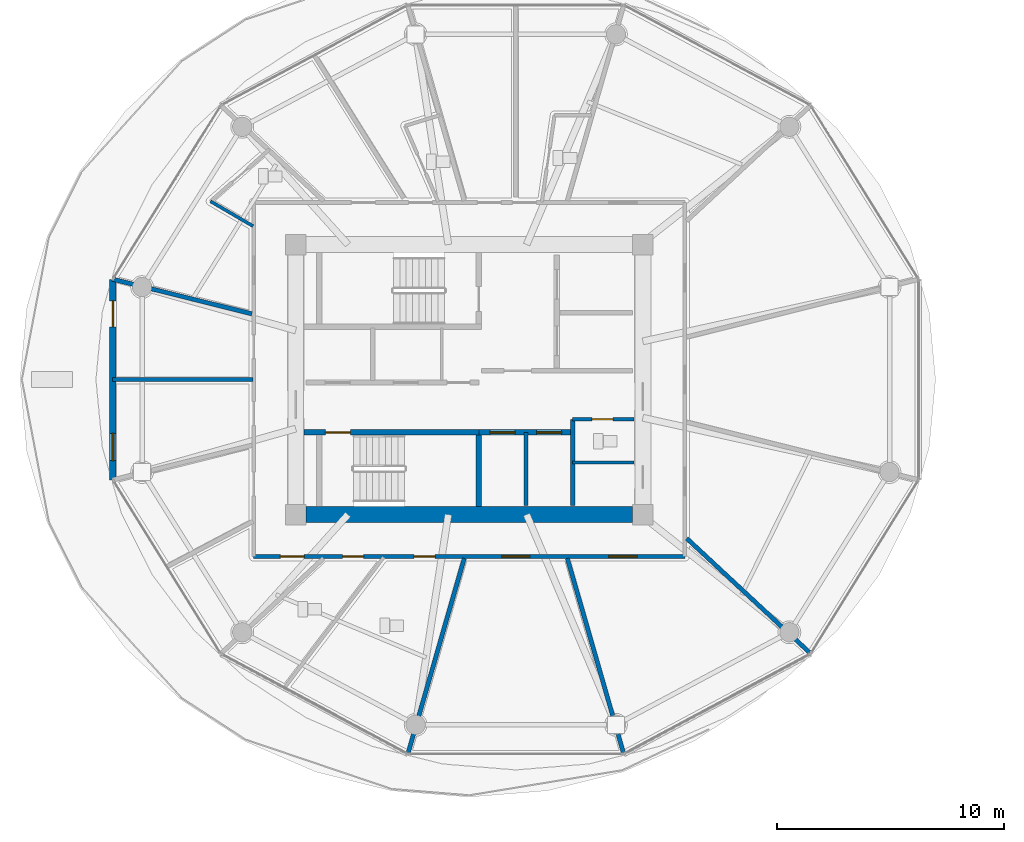
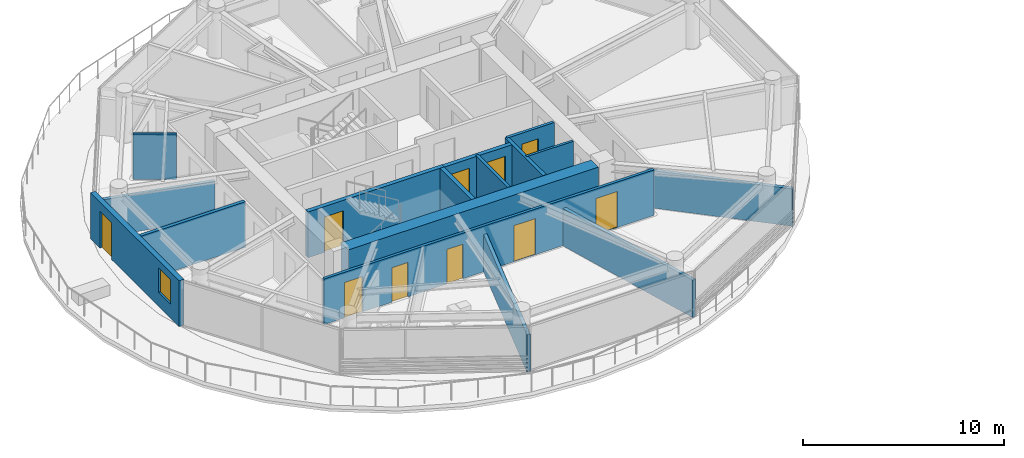
# One storey, part 15 of 32: 16 walls, 10 doors, 1 window, 11 openings.
"""IFC4 building model written with IfcOpenShell, lengths in metres."""

from ifc_helpers import new_model, si_unit, direction, frame, frame_2d, origin, place, context, subcontext, project, spatial, rectangle, extrude, source, transform, mapped, material, layer, layer_set, type_object, type_shapes, element, fill, save


model = new_model("IFC4")

# Units and contexts
model_context = context("Model", 3, precision=1e-05, world=origin(), true_north=direction((0.0, 1.0)))
body_context = subcontext(model_context, "Body", "Model", "MODEL_VIEW")
ifc_project = project(units=[si_unit("LENGTHUNIT", "METRE"), si_unit("AREAUNIT", "SQUARE_METRE"), si_unit("VOLUMEUNIT", "CUBIC_METRE"), si_unit("PLANEANGLEUNIT", "RADIAN"), si_unit("MASSUNIT", "GRAM", prefix="KILO")], contexts=[model_context])

# Site, building, storey
site_placement = place(None, origin())
site = spatial("IfcSite", under=ifc_project, at=site_placement, CompositionType="ELEMENT")
building_placement = place(site_placement, origin())
building = spatial("IfcBuilding", under=site, at=building_placement, Name="Norrkilde Senior Care Towers", CompositionType="ELEMENT")
storey_placement = place(building_placement, frame((0.0, 0.0, 77.949951171875)))
storey = spatial("IfcBuildingStorey", under=building, at=storey_placement, Name="L23", CompositionType="ELEMENT", Elevation=77.949951171875)

# Wall
ifc_material_1 = material(Name="Concrete C60/75", Category="concrete")
ifc_layer_1 = layer(ifc_material_1, 0.719970703125)
ifc_layer_set_1 = layer_set([ifc_layer_1], Name="Concrete C60/75")
wall_type_1 = type_object("IfcWallType", Name="Core Shear Wall Z2 720", PredefinedType="SHEAR", material=ifc_layer_set_1)
shared_shape_1 = source(origin(), body_context, "Body", "SweptSolid", [
    extrude(rectangle(XDim=14.39990234375, YDim=0.719970703125, at=frame_2d((7.199951171875, 0.0))), origin(), (0.0, 0.0, 1.0), 2.7900390625),
])
type_shapes(wall_type_1, [shared_shape_1])
wall_1_placement = place(storey_placement, frame((-20.800048828125, -5.949951171875, 0.0), z_axis=(0.0, 0.0, 1.0), x_axis=(-1.0, 0.0, 0.0)))
element("IfcWall", 1, at=wall_1_placement, inside=storey, type_object=wall_type_1, Name="L23 Core W South Shear Wall", PredefinedType="SHEAR", context=body_context, shape_type="MappedRepresentation", body=[
    mapped(shared_shape_1, transform((0.0, 0.0, 0.0), x_axis=(1.0, 0.0, 0.0), y_axis=(0.0, 1.0, 0.0), z_axis=(0.0, 0.0, 1.0), scale=1.0)),
])

# Wall, openings, door, window
ifc_material_2 = material(Name="Precast concrete C45/55", Category="concrete")
ifc_layer_2 = layer(ifc_material_2, 0.2900390625)
ifc_layer_set_2 = layer_set([ifc_layer_2], Name="Precast concrete C45/55")
wall_type_2 = type_object("IfcWallType", Name="Winter Garden Facade Wall 290", PredefinedType="SOLIDWALL", material=ifc_layer_set_2)
shared_shape_2 = source(origin(), body_context, "Body", "SweptSolid", [
    extrude(rectangle(XDim=8.84130859375, YDim=0.2900390625, at=frame_2d((4.420654296875, 0.0))), origin(), (0.0, 0.0, 1.0), 2.7900390625),
])
type_shapes(wall_type_2, [shared_shape_2])
wall_2_placement = place(storey_placement, frame((-43.70361328125, -4.420654296875, 0.0), z_axis=(0.0, 0.0, 1.0), x_axis=(0.0, 1.0, 0.0)))
wall_2 = element("IfcWall", 2, at=wall_2_placement, inside=storey, type_object=wall_type_2, Name="L23 Drum W Balcony Access Wall 05", PredefinedType="SOLIDWALL", context=body_context, shape_type="MappedRepresentation", body=[
    mapped(shared_shape_2, transform((0.0, 0.0, 0.0), x_axis=(1.0, 0.0, 0.0), y_axis=(0.0, 1.0, 0.0), z_axis=(0.0, 0.0, 1.0), scale=1.0)),
])
opening_1_placement = place(wall_2_placement, frame((6.739990234375, 0.0, 0.0)))
opening_1 = element("IfcOpeningElement", 3, at=opening_1_placement, cuts=wall_2, Name="Opening D-09", PredefinedType="OPENING", context=body_context, shape_type="SweptSolid", body=[
    extrude(rectangle(XDim=1.14990234375, YDim=2.25, at=frame_2d((0.574951171875, 1.125))), frame((0.0, 0.155029296875, 0.0), z_axis=(0.0, -1.0, 0.0), x_axis=(1.0, 0.0, 0.0)), (0.0, 0.0, 1.0), 0.31005859375),
])
opening_2_placement = place(wall_2_placement, frame((0.85009765625, 0.0, 0.85009765625)))
opening_2 = element("IfcOpeningElement", 4, at=opening_2_placement, cuts=wall_2, Name="Opening WN-07", PredefinedType="OPENING", context=body_context, shape_type="SweptSolid", body=[
    extrude(rectangle(XDim=1.199951171875, YDim=1.5, at=frame_2d((0.60009765625, 0.75))), frame((0.0, 0.155029296875, 0.0), z_axis=(0.0, -1.0, 0.0), x_axis=(1.0, 0.0, 0.0)), (0.0, 0.0, 1.0), 0.31005859375),
])
ifc_material_3 = material(Name="Anodised Aluminium", Category="aluminium")
door_type_1 = type_object("IfcDoorType", Name="Terrace and Balcony Glazed Door 1150x2250", OperationType="NOTDEFINED", PredefinedType="DOOR", material=ifc_material_3)
shared_shape_3 = source(origin(), body_context, "Body", "SweptSolid", [
    extrude(rectangle(XDim=1.14990234375, YDim=2.25, at=frame_2d((0.574951171875, 1.125))), frame((0.0, 0.02490234375, 0.0), z_axis=(0.0, -1.0, 0.0), x_axis=(1.0, 0.0, 0.0)), (0.0, 0.0, 1.0), 0.050048828125),
])
type_shapes(door_type_1, [shared_shape_3])
door_1_placement = place(opening_1_placement, origin())
door_1 = element("IfcDoor", 5, at=door_1_placement, inside=storey, type_object=door_type_1, Name="L23 Drum W Outdoor Terrace Door 05", OperationType="SINGLE_SWING_RIGHT", OverallHeight=2.25, OverallWidth=1.14990234375, PredefinedType="DOOR", context=body_context, shape_type="MappedRepresentation", body=[
    mapped(shared_shape_3, transform((0.0, 0.0, 0.0), x_axis=(1.0, 0.0, 0.0), y_axis=(0.0, 1.0, 0.0), z_axis=(0.0, 0.0, 1.0), scale=1.0)),
])
fill(opening_1, door_1)
ifc_material_4 = material(Name="Triple Low-E Insulated Glazing", Category="glass")
window_type = type_object("IfcWindowType", Name="Stairwell Smoke Vent Window 1200x1500", PartitioningType="SINGLE_PANEL", PredefinedType="WINDOW", material=ifc_material_4)
shared_shape_4 = source(origin(), body_context, "Body", "SweptSolid", [
    extrude(rectangle(XDim=1.199951171875, YDim=1.5, at=frame_2d((0.60009765625, 0.75))), frame((0.0, 0.030029296875, 0.0), z_axis=(0.0, -1.0, 0.0), x_axis=(1.0, 0.0, 0.0)), (0.0, 0.0, 1.0), 0.06005859375),
])
type_shapes(window_type, [shared_shape_4])
window_placement = place(opening_2_placement, origin())
window = element("IfcWindow", 6, at=window_placement, inside=storey, type_object=window_type, Name="L23 Drum W Winter Garden Window 05", OverallHeight=1.5, OverallWidth=1.199951171875, PartitioningType="SINGLE_PANEL", PredefinedType="WINDOW", context=body_context, shape_type="MappedRepresentation", body=[
    mapped(shared_shape_4, transform((0.0, 0.0, 0.0), x_axis=(1.0, 0.0, 0.0), y_axis=(0.0, 1.0, 0.0), z_axis=(0.0, 0.0, 1.0), scale=1.0)),
])
fill(opening_2, window)

# Wall
ifc_material_5 = material(Name="Concrete C45/55", Category="concrete")
ifc_layer_3 = layer(ifc_material_5, 0.199951171875)
ifc_layer_set_3 = layer_set([ifc_layer_3], Name="Concrete C45/55")
wall_type_3 = type_object("IfcWallType", Name="Shaft Division and Plant Partition 200", PredefinedType="PARTITIONING", material=ifc_layer_set_3)
shared_shape_5 = source(origin(), body_context, "Body", "SweptSolid", [
    extrude(rectangle(XDim=3.800048828125, YDim=0.199951171875, at=frame_2d((1.89990234375, 0.0))), origin(), (0.0, 0.0, 1.0), 2.775146484375),
])
type_shapes(wall_type_3, [shared_shape_5])
wall_3_placement = place(storey_placement, frame((-23.449951171875, -5.550048828125, 0.0), z_axis=(0.0, 0.0, 1.0), x_axis=(0.0, 1.0, 0.0)))
element("IfcWall", 7, at=wall_3_placement, inside=storey, type_object=wall_type_3, Name="WL-INT-L23-W-PKBE", PredefinedType="PARTITIONING", context=body_context, shape_type="MappedRepresentation", body=[
    mapped(shared_shape_5, transform((0.0, 0.0, 0.0), x_axis=(1.0, 0.0, 0.0), y_axis=(0.0, 1.0, 0.0), z_axis=(0.0, 0.0, 1.0), scale=1.0)),
])

# Wall, openings, doors
ifc_layer_4 = layer(ifc_material_5, 0.239990234375)
ifc_layer_set_4 = layer_set([ifc_layer_4], Name="Concrete C45/55")
wall_type_4 = type_object("IfcWallType", Name="Lift and Plant Rated Enclosure Partition 240", PredefinedType="PARTITIONING", material=ifc_layer_set_4)
shared_shape_6 = source(origin(), body_context, "Body", "SweptSolid", [
    extrude(rectangle(XDim=4.130126953125, YDim=0.239990234375, at=frame_2d((2.06494140625, 0.0))), origin(), (0.0, 0.0, 1.0), 2.775146484375),
])
type_shapes(wall_type_4, [shared_shape_6])
wall_4_placement = place(storey_placement, frame((-27.580078125, -2.330078125, 0.0), z_axis=(0.0, 0.0, 1.0), x_axis=(1.0, 0.0, 0.0)))
wall_4 = element("IfcWall", 8, at=wall_4_placement, inside=storey, type_object=wall_type_4, Name="WL-INT-L23-W-PKBN", PredefinedType="PARTITIONING", context=body_context, shape_type="MappedRepresentation", body=[
    mapped(shared_shape_6, transform((0.0, 0.0, 0.0), x_axis=(1.0, 0.0, 0.0), y_axis=(0.0, 1.0, 0.0), z_axis=(0.0, 0.0, 1.0), scale=1.0)),
])
opening_3_placement = place(wall_4_placement, frame((0.5, 0.0, 0.0)))
opening_3 = element("IfcOpeningElement", 9, at=opening_3_placement, cuts=wall_4, Name="Opening LD-01", PredefinedType="OPENING", context=body_context, shape_type="SweptSolid", body=[
    extrude(rectangle(XDim=1.10009765625, YDim=2.199951171875, at=frame_2d((0.550048828125, 1.10009765625))), frame((0.0, 0.1298828125, 0.0), z_axis=(0.0, -1.0, 0.0), x_axis=(1.0, 0.0, 0.0)), (0.0, 0.0, 1.0), 0.260009765625),
])
opening_4_placement = place(wall_4_placement, frame((2.550048828125, 0.0, 0.0)))
opening_4 = element("IfcOpeningElement", 10, at=opening_4_placement, cuts=wall_4, Name="Opening LD-01", PredefinedType="OPENING", context=body_context, shape_type="SweptSolid", body=[
    extrude(rectangle(XDim=1.10009765625, YDim=2.199951171875, at=frame_2d((0.550048828125, 1.10009765625))), frame((0.0, 0.1298828125, 0.0), z_axis=(0.0, -1.0, 0.0), x_axis=(1.0, 0.0, 0.0)), (0.0, 0.0, 1.0), 0.260009765625),
])
ifc_material_6 = material(Name="Stainless Steel", Category="steel")
door_type_2 = type_object("IfcDoorType", Name="Lift Landing Sliding Door 1100x2200", OperationType="NOTDEFINED", PredefinedType="DOOR", material=ifc_material_6)
shared_shape_7 = source(origin(), body_context, "Body", "SweptSolid", [
    extrude(rectangle(XDim=1.10009765625, YDim=2.199951171875, at=frame_2d((0.550048828125, 1.10009765625))), frame((0.0, 0.02490234375, 0.0), z_axis=(0.0, -1.0, 0.0), x_axis=(1.0, 0.0, 0.0)), (0.0, 0.0, 1.0), 0.050048828125),
])
type_shapes(door_type_2, [shared_shape_7])
door_2_placement = place(opening_3_placement, frame((1.10009765625, 0.0, 0.0), z_axis=(0.0, 0.0, 1.0), x_axis=(-1.0, 0.0, 0.0)))
door_2 = element("IfcDoor", 11, at=door_2_placement, inside=storey, type_object=door_type_2, Name="L23 Passenger Lift W3 Landing Door", OperationType="SLIDING_TO_LEFT", OverallHeight=2.199951171875, OverallWidth=1.10009765625, PredefinedType="DOOR", context=body_context, shape_type="MappedRepresentation", body=[
    mapped(shared_shape_7, transform((0.0, 0.0, 0.0), x_axis=(1.0, 0.0, 0.0), y_axis=(0.0, 1.0, 0.0), z_axis=(0.0, 0.0, 1.0), scale=1.0)),
])
fill(opening_3, door_2)
door_3_placement = place(opening_4_placement, frame((1.10009765625, 0.0, 0.0), z_axis=(0.0, 0.0, 1.0), x_axis=(-1.0, 0.0, 0.0)))
door_3 = element("IfcDoor", 12, at=door_3_placement, inside=storey, type_object=door_type_2, Name="L23 Passenger Lift W4 Landing Door", OperationType="SLIDING_TO_RIGHT", OverallHeight=2.199951171875, OverallWidth=1.10009765625, PredefinedType="DOOR", context=body_context, shape_type="MappedRepresentation", body=[
    mapped(shared_shape_7, transform((0.0, 0.0, 0.0), x_axis=(1.0, 0.0, 0.0), y_axis=(0.0, 1.0, 0.0), z_axis=(0.0, 0.0, 1.0), scale=1.0)),
])
fill(opening_4, door_3)

# Wall
ifc_layer_5 = layer(ifc_material_5, 0.179931640625)
ifc_layer_set_5 = layer_set([ifc_layer_5], Name="Concrete C45/55")
wall_type_5 = type_object("IfcWallType", Name="Hoistway Division Rated Partition 180", PredefinedType="PARTITIONING", material=ifc_layer_set_5)
shared_shape_8 = source(origin(), body_context, "Body", "SweptSolid", [
    extrude(rectangle(XDim=3.219970703125, YDim=0.179931640625, at=frame_2d((1.60986328125, 0.0))), origin(), (0.0, 0.0, 1.0), 2.775146484375),
])
type_shapes(wall_type_5, [shared_shape_8])
wall_5_placement = place(storey_placement, frame((-25.5, -5.550048828125, 0.0), z_axis=(0.0, 0.0, 1.0), x_axis=(0.0, 1.0, 0.0)))
element("IfcWall", 13, at=wall_5_placement, inside=storey, type_object=wall_type_5, Name="WL-INT-L23-W-PL34", PredefinedType="PARTITIONING", context=body_context, shape_type="MappedRepresentation", body=[
    mapped(shared_shape_8, transform((0.0, 0.0, 0.0), x_axis=(1.0, 0.0, 0.0), y_axis=(0.0, 1.0, 0.0), z_axis=(0.0, 0.0, 1.0), scale=1.0)),
])

# Wall, opening, door
ifc_material_7 = material(Name="Gypsum Acoustic Board")
ifc_layer_6 = layer(ifc_material_7, 0.1650390625)
ifc_layer_set_6 = layer_set([ifc_layer_6], Name="Gypsum Acoustic Board")
wall_type_6 = type_object("IfcWallType", Name="Corridor Rated Partition 165", PredefinedType="PARTITIONING", material=ifc_layer_set_6)
shared_shape_9 = source(origin(), body_context, "Body", "SweptSolid", [
    extrude(rectangle(XDim=2.699951171875, YDim=0.1650390625, at=frame_2d((1.35009765625, 0.0))), origin(), (0.0, 0.0, 1.0), 2.775146484375),
])
wall_6_placement = place(storey_placement, frame((-23.449951171875, -1.75, 0.0), z_axis=(0.0, 0.0, 1.0), x_axis=(1.0, 0.0, 0.0)))
wall_6 = element("IfcWall", 14, at=wall_6_placement, inside=storey, type_object=wall_type_6, Name="WL-INT-L23-W-CSN", PredefinedType="PARTITIONING", context=body_context, shape_type="MappedRepresentation", body=[
    mapped(shared_shape_9, transform((0.0, 0.0, 0.0), x_axis=(1.0, 0.0, 0.0), y_axis=(0.0, 1.0, 0.0), z_axis=(0.0, 0.0, 1.0), scale=1.0)),
])
opening_5_placement = place(wall_6_placement, frame((0.85009765625, 0.0, 0.0)))
opening_5 = element("IfcOpeningElement", 15, at=opening_5_placement, cuts=wall_6, Name="Opening D-12", PredefinedType="OPENING", context=body_context, shape_type="SweptSolid", body=[
    extrude(rectangle(XDim=0.925048828125, YDim=2.10009765625, at=frame_2d((0.46240234375, 1.050048828125))), frame((0.0, 0.092529296875, 0.0), z_axis=(0.0, -1.0, 0.0), x_axis=(1.0, 0.0, 0.0)), (0.0, 0.0, 1.0), 0.18505859375),
])
ifc_material_8 = material(Name="Galvanised Painted Steel", Category="steel")
door_type_3 = type_object("IfcDoorType", Name="Core Wet Room Rated Door 925x2100", OperationType="NOTDEFINED", PredefinedType="DOOR", material=ifc_material_8)
shared_shape_10 = source(origin(), body_context, "Body", "SweptSolid", [
    extrude(rectangle(XDim=0.925048828125, YDim=2.10009765625, at=frame_2d((0.46240234375, 1.050048828125))), frame((0.0, 0.02490234375, 0.0), z_axis=(0.0, -1.0, 0.0), x_axis=(1.0, 0.0, 0.0)), (0.0, 0.0, 1.0), 0.050048828125),
])
type_shapes(door_type_3, [shared_shape_10])
door_4_placement = place(opening_5_placement, origin())
door_4 = element("IfcDoor", 16, at=door_4_placement, inside=storey, type_object=door_type_3, Name="L23 Staff WC W Door", OperationType="SINGLE_SWING_LEFT", OverallHeight=2.10009765625, OverallWidth=0.925048828125, PredefinedType="DOOR", context=body_context, shape_type="MappedRepresentation", body=[
    mapped(shared_shape_10, transform((0.0, 0.0, 0.0), x_axis=(1.0, 0.0, 0.0), y_axis=(0.0, 1.0, 0.0), z_axis=(0.0, 0.0, 1.0), scale=1.0)),
])
fill(opening_5, door_4)

# Wall, openings, doors
shared_shape_11 = source(origin(), body_context, "Body", "SweptSolid", [
    extrude(rectangle(XDim=19.0, YDim=0.1650390625, at=frame_2d((9.5, 0.0))), origin(), (0.0, 0.0, 1.0), 2.775146484375),
])
type_shapes(wall_type_6, [shared_shape_9, shared_shape_11])
wall_7_placement = place(storey_placement, frame((-18.5, -7.800048828125, 0.0), z_axis=(0.0, 0.0, 1.0), x_axis=(-1.0, 0.0, 0.0)))
wall_7 = element("IfcWall", 17, at=wall_7_placement, inside=storey, type_object=wall_type_6, Name="WL-INT-L23-W-CRW-S-0", PredefinedType="PARTITIONING", context=body_context, shape_type="MappedRepresentation", body=[
    mapped(shared_shape_11, transform((0.0, 0.0, 0.0), x_axis=(1.0, 0.0, 0.0), y_axis=(0.0, 1.0, 0.0), z_axis=(0.0, 0.0, 1.0), scale=1.0)),
])
opening_6_placement = place(wall_7_placement, frame((14.157958984375, 0.0, 0.0)))
opening_6 = element("IfcOpeningElement", 18, at=opening_6_placement, cuts=wall_7, Name="Opening D-08", PredefinedType="OPENING", context=body_context, shape_type="SweptSolid", body=[
    extrude(rectangle(XDim=0.919921875, YDim=2.10009765625, at=frame_2d((0.4599609375, 1.050048828125))), frame((0.0, 0.092529296875, 0.0), z_axis=(0.0, -1.0, 0.0), x_axis=(1.0, 0.0, 0.0)), (0.0, 0.0, 1.0), 0.18505859375),
])
opening_7_placement = place(wall_7_placement, frame((11.009765625, 0.0, 0.0)))
opening_7 = element("IfcOpeningElement", 19, at=opening_7_placement, cuts=wall_7, Name="Opening D-08", PredefinedType="OPENING", context=body_context, shape_type="SweptSolid", body=[
    extrude(rectangle(XDim=0.919921875, YDim=2.10009765625, at=frame_2d((0.4599609375, 1.050048828125))), frame((0.0, 0.092529296875, 0.0), z_axis=(0.0, -1.0, 0.0), x_axis=(1.0, 0.0, 0.0)), (0.0, 0.0, 1.0), 0.18505859375),
])
opening_8_placement = place(wall_7_placement, frame((6.824951171875, 0.0, 0.0)))
opening_8 = element("IfcOpeningElement", 20, at=opening_8_placement, cuts=wall_7, Name="Opening D-05", PredefinedType="OPENING", context=body_context, shape_type="SweptSolid", body=[
    extrude(rectangle(XDim=1.25, YDim=2.199951171875, at=frame_2d((0.625, 1.10009765625))), frame((0.0, 0.092529296875, 0.0), z_axis=(0.0, -1.0, 0.0), x_axis=(1.0, 0.0, 0.0)), (0.0, 0.0, 1.0), 0.18505859375),
])
opening_9_placement = place(wall_7_placement, frame((2.106201171875, 0.0, 0.0)))
opening_9 = element("IfcOpeningElement", 21, at=opening_9_placement, cuts=wall_7, Name="Opening D-05", PredefinedType="OPENING", context=body_context, shape_type="SweptSolid", body=[
    extrude(rectangle(XDim=1.25, YDim=2.199951171875, at=frame_2d((0.625, 1.10009765625))), frame((0.0, 0.092529296875, 0.0), z_axis=(0.0, -1.0, 0.0), x_axis=(1.0, 0.0, 0.0)), (0.0, 0.0, 1.0), 0.18505859375),
])
opening_10_placement = place(wall_7_placement, frame((16.77490234375, 0.0, 0.0)))
opening_10 = element("IfcOpeningElement", 22, at=opening_10_placement, cuts=wall_7, Name="Opening D-06", PredefinedType="OPENING", context=body_context, shape_type="SweptSolid", body=[
    extrude(rectangle(XDim=1.050048828125, YDim=2.14990234375, at=frame_2d((0.52490234375, 1.074951171875))), frame((0.0, 0.092529296875, 0.0), z_axis=(0.0, -1.0, 0.0), x_axis=(1.0, 0.0, 0.0)), (0.0, 0.0, 1.0), 0.18505859375),
])
ifc_material_9 = material(Name="Nordic Ash Timber", Category="wood")
door_type_4 = type_object("IfcDoorType", Name="Care Bedroom Bariatric Door 1250x2200", OperationType="NOTDEFINED", PredefinedType="DOOR", material=ifc_material_9)
shared_shape_12 = source(origin(), body_context, "Body", "SweptSolid", [
    extrude(rectangle(XDim=1.25, YDim=2.199951171875, at=frame_2d((0.625, 1.10009765625))), frame((0.0, 0.02490234375, 0.0), z_axis=(0.0, -1.0, 0.0), x_axis=(1.0, 0.0, 0.0)), (0.0, 0.0, 1.0), 0.050048828125),
])
type_shapes(door_type_4, [shared_shape_12])
door_5_placement = place(opening_8_placement, frame((1.25, 0.0, 0.0), z_axis=(0.0, 0.0, 1.0), x_axis=(-1.0, 0.0, 0.0)))
door_5 = element("IfcDoor", 23, at=door_5_placement, inside=storey, type_object=door_type_4, Name="L23 Resident Therapeutic Day Lounge Door", OperationType="SINGLE_SWING_LEFT", OverallHeight=2.199951171875, OverallWidth=1.25, PredefinedType="DOOR", context=body_context, shape_type="MappedRepresentation", body=[
    mapped(shared_shape_12, transform((0.0, 0.0, 0.0), x_axis=(1.0, 0.0, 0.0), y_axis=(0.0, 1.0, 0.0), z_axis=(0.0, 0.0, 1.0), scale=1.0)),
])
fill(opening_8, door_5)
door_6_placement = place(opening_9_placement, frame((1.25, 0.0, 0.0), z_axis=(0.0, 0.0, 1.0), x_axis=(-1.0, 0.0, 0.0)))
door_6 = element("IfcDoor", 24, at=door_6_placement, inside=storey, type_object=door_type_4, Name="L23 Household Therapeutic Kitchen Door", OperationType="SINGLE_SWING_RIGHT", OverallHeight=2.199951171875, OverallWidth=1.25, PredefinedType="DOOR", context=body_context, shape_type="MappedRepresentation", body=[
    mapped(shared_shape_12, transform((0.0, 0.0, 0.0), x_axis=(1.0, 0.0, 0.0), y_axis=(0.0, 1.0, 0.0), z_axis=(0.0, 0.0, 1.0), scale=1.0)),
])
fill(opening_9, door_6)
door_type_5 = type_object("IfcDoorType", Name="Accessible Wet Room Door 920x2100", OperationType="NOTDEFINED", PredefinedType="DOOR", material=ifc_material_9)
shared_shape_13 = source(origin(), body_context, "Body", "SweptSolid", [
    extrude(rectangle(XDim=0.919921875, YDim=2.10009765625, at=frame_2d((0.4599609375, 1.050048828125))), frame((0.0, 0.02490234375, 0.0), z_axis=(0.0, -1.0, 0.0), x_axis=(1.0, 0.0, 0.0)), (0.0, 0.0, 1.0), 0.050048828125),
])
type_shapes(door_type_5, [shared_shape_13])
door_7_placement = place(opening_6_placement, frame((0.919921875, 0.0, 0.0), z_axis=(0.0, 0.0, 1.0), x_axis=(-1.0, 0.0, 0.0)))
door_7 = element("IfcDoor", 25, at=door_7_placement, inside=storey, type_object=door_type_5, Name="L23 Accessible Restroom Door", OperationType="SINGLE_SWING_RIGHT", OverallHeight=2.10009765625, OverallWidth=0.919921875, PredefinedType="DOOR", context=body_context, shape_type="MappedRepresentation", body=[
    mapped(shared_shape_13, transform((0.0, 0.0, 0.0), x_axis=(1.0, 0.0, 0.0), y_axis=(0.0, 1.0, 0.0), z_axis=(0.0, 0.0, 1.0), scale=1.0)),
])
fill(opening_6, door_7)
door_8_placement = place(opening_7_placement, frame((0.919921875, 0.0, 0.0), z_axis=(0.0, 0.0, 1.0), x_axis=(-1.0, 0.0, 0.0)))
door_8 = element("IfcDoor", 26, at=door_8_placement, inside=storey, type_object=door_type_5, Name="L23 Public Restroom Door", OperationType="SINGLE_SWING_LEFT", OverallHeight=2.10009765625, OverallWidth=0.919921875, PredefinedType="DOOR", context=body_context, shape_type="MappedRepresentation", body=[
    mapped(shared_shape_13, transform((0.0, 0.0, 0.0), x_axis=(1.0, 0.0, 0.0), y_axis=(0.0, 1.0, 0.0), z_axis=(0.0, 0.0, 1.0), scale=1.0)),
])
fill(opening_7, door_8)
door_type_6 = type_object("IfcDoorType", Name="Apartment Entrance Fire Door 1050x2150", OperationType="NOTDEFINED", PredefinedType="DOOR", material=ifc_material_9)
shared_shape_14 = source(origin(), body_context, "Body", "SweptSolid", [
    extrude(rectangle(XDim=1.050048828125, YDim=2.14990234375, at=frame_2d((0.52490234375, 1.074951171875))), frame((0.0, 0.02490234375, 0.0), z_axis=(0.0, -1.0, 0.0), x_axis=(1.0, 0.0, 0.0)), (0.0, 0.0, 1.0), 0.050048828125),
])
type_shapes(door_type_6, [shared_shape_14])
door_9_placement = place(opening_10_placement, frame((1.050048828125, 0.0, 0.0), z_axis=(0.0, 0.0, 1.0), x_axis=(-1.0, 0.0, 0.0)))
door_9 = element("IfcDoor", 27, at=door_9_placement, inside=storey, type_object=door_type_6, Name="L23 Assessment Clinic 6B Door", OperationType="SINGLE_SWING_RIGHT", OverallHeight=2.14990234375, OverallWidth=1.050048828125, PredefinedType="DOOR", context=body_context, shape_type="MappedRepresentation", body=[
    mapped(shared_shape_14, transform((0.0, 0.0, 0.0), x_axis=(1.0, 0.0, 0.0), y_axis=(0.0, 1.0, 0.0), z_axis=(0.0, 0.0, 1.0), scale=1.0)),
])
fill(opening_10, door_9)

# Wall
ifc_layer_7 = layer(ifc_material_7, 0.139892578125)
ifc_layer_set_7 = layer_set([ifc_layer_7], Name="Gypsum Acoustic Board")
wall_type_7 = type_object("IfcWallType", Name="En-suite Wet Room Wall 140", PredefinedType="PARTITIONING", material=ifc_layer_set_7)
shared_shape_15 = source(origin(), body_context, "Body", "SweptSolid", [
    extrude(rectangle(XDim=2.699951171875, YDim=0.139892578125, at=frame_2d((1.35009765625, 0.0))), origin(), (0.0, 0.0, 1.0), 2.775146484375),
])
wall_8_placement = place(storey_placement, frame((-23.449951171875, -3.64990234375, 0.0), z_axis=(0.0, 0.0, 1.0), x_axis=(1.0, 0.0, 0.0)))
element("IfcWall", 28, at=wall_8_placement, inside=storey, type_object=wall_type_7, Name="WL-INT-L23-W-CS2H", PredefinedType="PARTITIONING", context=body_context, shape_type="MappedRepresentation", body=[
    mapped(shared_shape_15, transform((0.0, 0.0, 0.0), x_axis=(1.0, 0.0, 0.0), y_axis=(0.0, 1.0, 0.0), z_axis=(0.0, 0.0, 1.0), scale=1.0)),
])

# Wall, opening, door
ifc_layer_8 = layer(ifc_material_5, 0.239990234375)
ifc_layer_set_8 = layer_set([ifc_layer_8], Name="Concrete C45/55")
wall_type_8 = type_object("IfcWallType", Name="Shaft and Stair Enclosure Wall 240", PredefinedType="PARTITIONING", material=ifc_layer_set_8)
shared_shape_16 = source(origin(), body_context, "Body", "SweptSolid", [
    extrude(rectangle(XDim=7.830078125, YDim=0.239990234375, at=frame_2d((3.9150390625, 0.0))), origin(), (0.0, 0.0, 1.0), 2.7900390625),
])
wall_9_placement = place(storey_placement, frame((-35.2900390625, -2.330078125, 0.0), z_axis=(0.0, 0.0, 1.0), x_axis=(1.0, 0.0, 0.0)))
wall_9 = element("IfcWall", 29, at=wall_9_placement, inside=storey, type_object=wall_type_8, Name="WL-INT-L23-W-ST2N", PredefinedType="PARTITIONING", context=body_context, shape_type="MappedRepresentation", body=[
    mapped(shared_shape_16, transform((0.0, 0.0, 0.0), x_axis=(1.0, 0.0, 0.0), y_axis=(0.0, 1.0, 0.0), z_axis=(0.0, 0.0, 1.0), scale=1.0)),
])
opening_11_placement = place(wall_9_placement, frame((0.949951171875, 0.0, 0.0)))
opening_11 = element("IfcOpeningElement", 30, at=opening_11_placement, cuts=wall_9, Name="Opening D-03", PredefinedType="OPENING", context=body_context, shape_type="SweptSolid", body=[
    extrude(rectangle(XDim=1.10009765625, YDim=2.14990234375, at=frame_2d((0.550048828125, 1.074951171875))), frame((0.0, 0.1298828125, 0.0), z_axis=(0.0, -1.0, 0.0), x_axis=(1.0, 0.0, 0.0)), (0.0, 0.0, 1.0), 0.260009765625),
])
door_type_7 = type_object("IfcDoorType", Name="Stairwell Protected Fire Door 1100x2150", OperationType="NOTDEFINED", PredefinedType="DOOR", material=ifc_material_8)
shared_shape_17 = source(origin(), body_context, "Body", "SweptSolid", [
    extrude(rectangle(XDim=1.10009765625, YDim=2.14990234375, at=frame_2d((0.550048828125, 1.074951171875))), frame((0.0, 0.02490234375, 0.0), z_axis=(0.0, -1.0, 0.0), x_axis=(1.0, 0.0, 0.0)), (0.0, 0.0, 1.0), 0.050048828125),
])
type_shapes(door_type_7, [shared_shape_17])
door_10_placement = place(opening_11_placement, frame((1.10009765625, 0.0, 0.0), z_axis=(0.0, 0.0, 1.0), x_axis=(-1.0, 0.0, 0.0)))
door_10 = element("IfcDoor", 31, at=door_10_placement, inside=storey, type_object=door_type_7, Name="L23 Stair W2 Fire Door", OperationType="SINGLE_SWING_RIGHT", OverallHeight=2.14990234375, OverallWidth=1.10009765625, PredefinedType="DOOR", context=body_context, shape_type="MappedRepresentation", body=[
    mapped(shared_shape_17, transform((0.0, 0.0, 0.0), x_axis=(1.0, 0.0, 0.0), y_axis=(0.0, 1.0, 0.0), z_axis=(0.0, 0.0, 1.0), scale=1.0)),
])
fill(opening_11, door_10)

# Walls
shared_shape_18 = source(origin(), body_context, "Body", "SweptSolid", [
    extrude(rectangle(XDim=3.14013671875, YDim=0.239990234375, at=frame_2d((1.570068359375, 0.0))), origin(), (0.0, 0.0, 1.0), 2.7900390625),
])
type_shapes(wall_type_8, [shared_shape_16, shared_shape_18])
wall_10_placement = place(storey_placement, frame((-27.580078125, -5.590087890625, 0.0), z_axis=(0.0, 0.0, 1.0), x_axis=(0.0, 1.0, 0.0)))
element("IfcWall", 32, at=wall_10_placement, inside=storey, type_object=wall_type_8, Name="WL-INT-L23-W-ST2E", PredefinedType="PARTITIONING", context=body_context, shape_type="MappedRepresentation", body=[
    mapped(shared_shape_18, transform((0.0, 0.0, 0.0), x_axis=(1.0, 0.0, 0.0), y_axis=(0.0, 1.0, 0.0), z_axis=(0.0, 0.0, 1.0), scale=1.0)),
])
ifc_layer_9 = layer(ifc_material_7, 0.18994140625)
ifc_layer_set_9 = layer_set([ifc_layer_9], Name="Gypsum Acoustic Board")
wall_type_9 = type_object("IfcWallType", Name="Unit Demising Acoustic Wall 190", PredefinedType="PARTITIONING", material=ifc_layer_set_9)
shared_shape_19 = source(origin(), body_context, "Body", "SweptSolid", [
    extrude(rectangle(XDim=8.9892578125, YDim=0.18994140625, at=frame_2d((4.49462890625, 0.0))), origin(), (0.0, 0.0, 1.0), 2.275146484375),
])
for number, where, z_axis, x_axis, name in (
    (33, (-28.221923828125, -7.8798828125, 0.0), (0.0, 0.0, 1.0), (-0.27702323008, -0.960863221274, 0.0), "WL-INT-L23-W-DEM-08-0"),
    (34, (-23.677978515625, -7.8798828125, 0.0), (0.0, 0.0, 1.0), (0.27702323008, -0.960863221274, 0.0), "WL-INT-L23-W-DEM-09-0"),
):
    element("IfcWall", number, at=place(storey_placement, frame(where, z_axis=z_axis, x_axis=x_axis)), inside=storey, type_object=wall_type_9, Name=name, PredefinedType="PARTITIONING", context=body_context, shape_type="MappedRepresentation", body=[
        mapped(shared_shape_19, transform((0.0, 0.0, 0.0), x_axis=(1.0, 0.0, 0.0), y_axis=(0.0, 1.0, 0.0), z_axis=(0.0, 0.0, 1.0), scale=1.0)),
    ])
shared_shape_20 = source(origin(), body_context, "Body", "SweptSolid", [
    extrude(rectangle(XDim=7.482177734375, YDim=0.18994140625, at=frame_2d((3.7412109375, 0.0))), origin(), (0.0, 0.0, 1.0), 2.275146484375),
])
wall_11_placement = place(storey_placement, frame((-18.419921875, -6.998046875, 0.0), z_axis=(0.0, 0.0, 1.0), x_axis=(0.732508698043, -0.680757671489, 0.0)))
element("IfcWall", 35, at=wall_11_placement, inside=storey, type_object=wall_type_9, Name="WL-INT-L23-W-DEM-10-0", PredefinedType="PARTITIONING", context=body_context, shape_type="MappedRepresentation", body=[
    mapped(shared_shape_20, transform((0.0, 0.0, 0.0), x_axis=(1.0, 0.0, 0.0), y_axis=(0.0, 1.0, 0.0), z_axis=(0.0, 0.0, 1.0), scale=1.0)),
])
shared_shape_21 = source(origin(), body_context, "Body", "SweptSolid", [
    extrude(rectangle(XDim=6.33056640625, YDim=0.18994140625, at=frame_2d((3.165283203125, 0.0))), origin(), (0.0, 0.0, 1.0), 2.275146484375),
])
wall_12_placement = place(storey_placement, frame((-37.580078125, 2.89599609375, 0.0), z_axis=(0.0, 0.0, 1.0), x_axis=(-0.97036440661, 0.241646267062, 0.0)))
element("IfcWall", 36, at=wall_12_placement, inside=storey, type_object=wall_type_9, Name="WL-INT-L23-W-DEM-05-0", PredefinedType="PARTITIONING", context=body_context, shape_type="MappedRepresentation", body=[
    mapped(shared_shape_21, transform((0.0, 0.0, 0.0), x_axis=(1.0, 0.0, 0.0), y_axis=(0.0, 1.0, 0.0), z_axis=(0.0, 0.0, 1.0), scale=1.0)),
])
shared_shape_22 = source(origin(), body_context, "Body", "SweptSolid", [
    extrude(rectangle(XDim=2.171630859375, YDim=0.139892578125, at=frame_2d((1.0859375, 0.0))), origin(), (0.0, 0.0, 1.0), 2.775146484375),
])
type_shapes(wall_type_7, [shared_shape_15, shared_shape_22])
wall_13_placement = place(storey_placement, frame((-37.530029296875, 6.761962890625, 0.0), z_axis=(0.0, 0.0, 1.0), x_axis=(-0.863562702562, 0.504241468688, 0.0)))
element("IfcWall", 37, at=wall_13_placement, inside=storey, type_object=wall_type_7, Name="WL-INT-L23-W-ES-04", PredefinedType="PARTITIONING", context=body_context, shape_type="MappedRepresentation", body=[
    mapped(shared_shape_22, transform((0.0, 0.0, 0.0), x_axis=(1.0, 0.0, 0.0), y_axis=(0.0, 1.0, 0.0), z_axis=(0.0, 0.0, 1.0), scale=1.0)),
])
shared_shape_23 = source(origin(), body_context, "Body", "SweptSolid", [
    extrude(rectangle(XDim=6.193115234375, YDim=0.18994140625, at=frame_2d((3.0966796875, 0.0))), origin(), (0.0, 0.0, 1.0), 2.775146484375),
])
type_shapes(wall_type_9, [shared_shape_19, shared_shape_20, shared_shape_21, shared_shape_23])
wall_14_placement = place(storey_placement, frame((-37.530029296875, 0.0, 0.0), z_axis=(0.0, 0.0, 1.0), x_axis=(-1.0, 0.0, 0.0)))
element("IfcWall", 38, at=wall_14_placement, inside=storey, type_object=wall_type_9, Name="WL-INT-L23-W-MID-05", PredefinedType="PARTITIONING", context=body_context, shape_type="MappedRepresentation", body=[
    mapped(shared_shape_23, transform((0.0, 0.0, 0.0), x_axis=(1.0, 0.0, 0.0), y_axis=(0.0, 1.0, 0.0), z_axis=(0.0, 0.0, 1.0), scale=1.0)),
])

save(model, "model.ifc")
